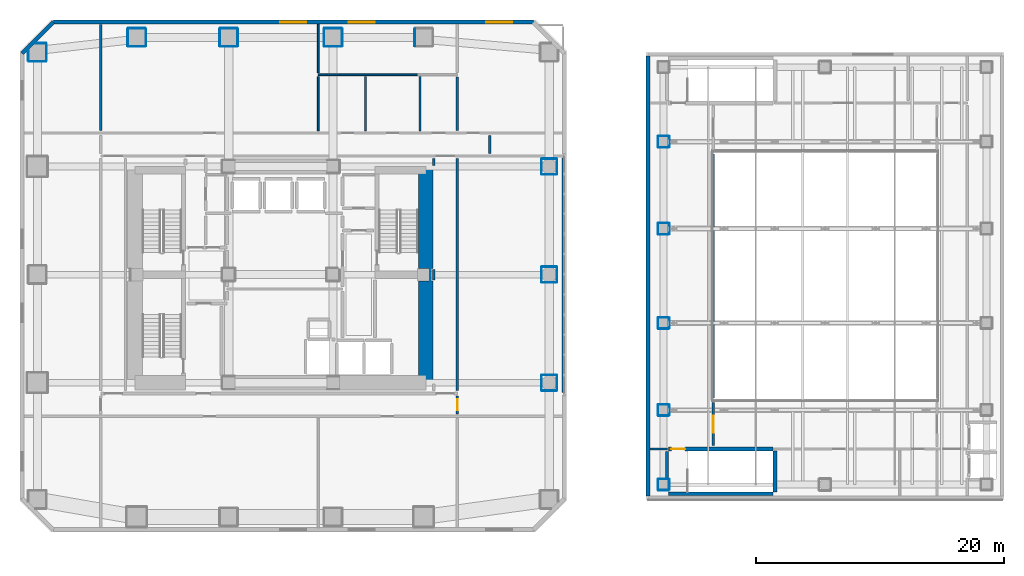
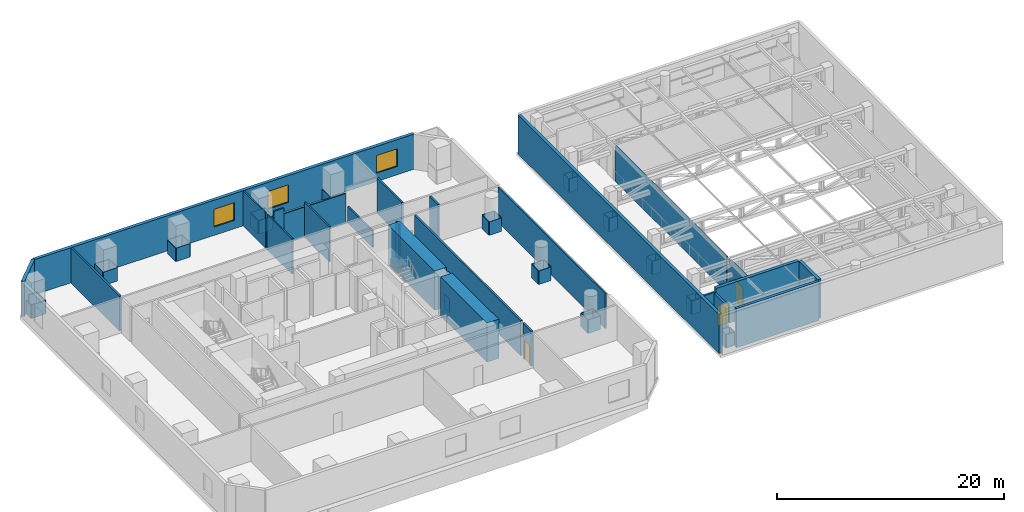
# One storey, part 21 of 25: 77 walls, 3 doors, 3 windows, 6 openings.
"""IFC4 building model written with IfcOpenShell, lengths in metres."""

from ifc_helpers import new_model, si_unit, direction, frame, frame_2d, origin, place, context, subcontext, project, spatial, rectangle, extrude, material, layer, layer_set, type_object, element, fill, save


model = new_model("IFC4")

# Units and contexts
model_context = context("Model", 3, precision=1e-05, world=origin(), true_north=direction((0.0, 1.0)))
body_context = subcontext(model_context, "Body", "Model", "MODEL_VIEW")
ifc_project = project(units=[si_unit("LENGTHUNIT", "METRE"), si_unit("AREAUNIT", "SQUARE_METRE"), si_unit("VOLUMEUNIT", "CUBIC_METRE"), si_unit("PLANEANGLEUNIT", "RADIAN"), si_unit("MASSUNIT", "GRAM", prefix="KILO")], contexts=[model_context])

# Site, building, storey
site_placement = place(None, origin())
site = spatial("IfcSite", under=ifc_project, at=site_placement, CompositionType="ELEMENT")
building_placement = place(site_placement, origin())
building = spatial("IfcBuilding", under=site, at=building_placement, Name="Solanera Arch Residences", CompositionType="ELEMENT")
storey_placement = place(building_placement, frame((0.0, 0.0, 17.800048828125)))
storey = spatial("IfcBuildingStorey", under=building, at=storey_placement, Name="L04", CompositionType="ELEMENT", Elevation=17.800048828125)

# Walls
ifc_material_1 = material(Name="Fire-Rated Gypsum Stud Partition", Category="gypsum")
ifc_layer_1 = layer(ifc_material_1, 0.06005859375)
ifc_layer_set_1 = layer_set([ifc_layer_1], Name="Fire-Rated Gypsum Stud Partition")
wall_type_1 = type_object("IfcWallType", Name="Column Acoustic Furring Wall 60", PredefinedType="PARTITIONING", material=ifc_layer_set_1)
wall_1_placement = place(storey_placement, frame((37.031982421875, 30.2099609375, 0.0), z_axis=(0.0, 0.0, 1.0), x_axis=(0.0, 1.0, 0.0)))
element("IfcWall", 1, at=wall_1_placement, inside=storey, type_object=wall_type_1, Name="L04 Column Furring 6E", PredefinedType="PARTITIONING", context=body_context, shape_type="SweptSolid", body=[
    extrude(rectangle(XDim=0.97998046875, YDim=0.06005859375, at=frame_2d((0.489990234375, 0.0))), origin(), (0.0, 0.0, 1.0), 1.449951171875),
])
for number, where, z_axis, x_axis, name in (
    (2, (12.699951171875, 49.068115234375, 0.0), (0.0, 0.0, 1.0), (1.0, 0.0, 0.0), "L04 Column Furring 11S"),
    (3, (12.699951171875, 50.531982421875, 0.0), (0.0, 0.0, 1.0), (1.0, 0.0, 0.0), "L04 Column Furring 11N"),
):
    element("IfcWall", number, at=place(storey_placement, frame(where, z_axis=z_axis, x_axis=x_axis)), inside=storey, type_object=wall_type_1, Name=name, PredefinedType="PARTITIONING", context=body_context, shape_type="SweptSolid", body=[
        extrude(rectangle(XDim=1.400146484375, YDim=0.06005859375, at=frame_2d((0.7001953125, 0.0))), origin(), (0.0, 0.0, 1.0), 1.449951171875),
    ])
for number, where, z_axis, x_axis, name in (
    (4, (12.66796875, 49.10009765625, 0.0), (0.0, 0.0, 1.0), (0.0, 1.0, 0.0), "L04 Column Furring 11W"),
    (5, (14.132080078125, 49.10009765625, 0.0), (0.0, 0.0, 1.0), (0.0, 1.0, 0.0), "L04 Column Furring 11E"),
    (6, (20.10009765625, 49.068115234375, 0.0), (0.0, 0.0, 1.0), (1.0, 0.0, 0.0), "L04 Column Furring 12S"),
    (7, (20.10009765625, 50.531982421875, 0.0), (0.0, 0.0, 1.0), (1.0, 0.0, 0.0), "L04 Column Furring 12N"),
    (8, (20.068115234375, 49.10009765625, 0.0), (0.0, 0.0, 1.0), (0.0, 1.0, 0.0), "L04 Column Furring 12W"),
    (9, (21.531982421875, 49.10009765625, 0.0), (0.0, 0.0, 1.0), (0.0, 1.0, 0.0), "L04 Column Furring 12E"),
    (10, (28.5, 49.068115234375, 0.0), (0.0, 0.0, 1.0), (1.0, 0.0, 0.0), "L04 Column Furring 13S"),
    (11, (28.5, 50.531982421875, 0.0), (0.0, 0.0, 1.0), (1.0, 0.0, 0.0), "L04 Column Furring 13N"),
    (12, (28.468017578125, 49.10009765625, 0.0), (0.0, 0.0, 1.0), (0.0, 1.0, 0.0), "L04 Column Furring 13W"),
    (13, (29.931884765625, 49.10009765625, 0.0), (0.0, 0.0, 1.0), (0.0, 1.0, 0.0), "L04 Column Furring 13E"),
    (14, (35.76806640625, 49.10009765625, 0.0), (0.0, 0.0, 1.0), (0.0, 1.0, 0.0), "L04 Column Furring 14W"),
):
    element("IfcWall", number, at=place(storey_placement, frame(where, z_axis=z_axis, x_axis=x_axis)), inside=storey, type_object=wall_type_1, Name=name, PredefinedType="PARTITIONING", context=body_context, shape_type="SweptSolid", body=[
        extrude(rectangle(XDim=1.39990234375, YDim=0.06005859375, at=frame_2d((0.699951171875, 0.0))), origin(), (0.0, 0.0, 1.0), 1.449951171875),
    ])
for number, where, z_axis, x_axis, name in (
    (15, (46.0, 21.367919921875, 0.0), (0.0, 0.0, 1.0), (1.0, 0.0, 0.0), "L04 Column Furring 18S"),
    (16, (46.0, 22.632080078125, 0.0), (0.0, 0.0, 1.0), (1.0, 0.0, 0.0), "L04 Column Furring 18N"),
):
    element("IfcWall", number, at=place(storey_placement, frame(where, z_axis=z_axis, x_axis=x_axis)), inside=storey, type_object=wall_type_1, Name=name, PredefinedType="PARTITIONING", context=body_context, shape_type="SweptSolid", body=[
        extrude(rectangle(XDim=1.199951171875, YDim=0.06005859375, at=frame_2d((0.60009765625, 0.0))), origin(), (0.0, 0.0, 1.0), 1.449951171875),
    ])
for number, where, z_axis, x_axis, name in (
    (17, (45.968017578125, 21.39990234375, 0.0), (0.0, 0.0, 1.0), (0.0, 1.0, 0.0), "L04 Column Furring 18W"),
    (18, (47.23193359375, 21.39990234375, 0.0), (0.0, 0.0, 1.0), (0.0, 1.0, 0.0), "L04 Column Furring 18E"),
):
    element("IfcWall", number, at=place(storey_placement, frame(where, z_axis=z_axis, x_axis=x_axis)), inside=storey, type_object=wall_type_1, Name=name, PredefinedType="PARTITIONING", context=body_context, shape_type="SweptSolid", body=[
        extrude(rectangle(XDim=1.2001953125, YDim=0.06005859375, at=frame_2d((0.60009765625, 0.0))), origin(), (0.0, 0.0, 1.0), 1.449951171875),
    ])
for number, where, z_axis, x_axis, name in (
    (19, (46.0, 30.068115234375, 0.0), (0.0, 0.0, 1.0), (1.0, 0.0, 0.0), "L04 Column Furring 19S"),
    (20, (46.0, 31.33203125, 0.0), (0.0, 0.0, 1.0), (1.0, 0.0, 0.0), "L04 Column Furring 19N"),
    (21, (45.968017578125, 30.10009765625, 0.0), (0.0, 0.0, 1.0), (0.0, 1.0, 0.0), "L04 Column Furring 19W"),
    (22, (47.23193359375, 30.10009765625, 0.0), (0.0, 0.0, 1.0), (0.0, 1.0, 0.0), "L04 Column Furring 19E"),
    (23, (46.0, 38.76806640625, 0.0), (0.0, 0.0, 1.0), (1.0, 0.0, 0.0), "L04 Column Furring 20S"),
    (24, (46.0, 40.031982421875, 0.0), (0.0, 0.0, 1.0), (1.0, 0.0, 0.0), "L04 Column Furring 20N"),
    (25, (45.968017578125, 38.800048828125, 0.0), (0.0, 0.0, 1.0), (0.0, 1.0, 0.0), "L04 Column Furring 20W"),
    (26, (47.23193359375, 38.800048828125, 0.0), (0.0, 0.0, 1.0), (0.0, 1.0, 0.0), "L04 Column Furring 20E"),
):
    element("IfcWall", number, at=place(storey_placement, frame(where, z_axis=z_axis, x_axis=x_axis)), inside=storey, type_object=wall_type_1, Name=name, PredefinedType="PARTITIONING", context=body_context, shape_type="SweptSolid", body=[
        extrude(rectangle(XDim=1.199951171875, YDim=0.06005859375, at=frame_2d((0.60009765625, 0.0))), origin(), (0.0, 0.0, 1.0), 1.449951171875),
    ])
wall_2_placement = place(storey_placement, frame((4.699951171875, 47.867919921875, 0.0), z_axis=(0.0, 0.0, 1.0), x_axis=(1.0, 0.0, 0.0)))
element("IfcWall", 27, at=wall_2_placement, inside=storey, type_object=wall_type_1, Name="L04 Column Furring 23S", PredefinedType="PARTITIONING", context=body_context, shape_type="SweptSolid", body=[
    extrude(rectangle(XDim=1.400146484375, YDim=0.06005859375, at=frame_2d((0.7001953125, 0.0))), origin(), (0.0, 0.0, 1.0), 1.449951171875),
])
for number, where, z_axis, x_axis, name in (
    (28, (5.239013671875, 49.33203125, 0.0), (0.0, 0.0, 1.0), (1.0, 0.0, 0.0), "L04 Column Furring 23N"),
    (29, (4.66796875, 47.89990234375, 0.0), (0.0, 0.0, 1.0), (0.0, 1.0, 0.0), "L04 Column Furring 23W"),
):
    element("IfcWall", number, at=place(storey_placement, frame(where, z_axis=z_axis, x_axis=x_axis)), inside=storey, type_object=wall_type_1, Name=name, PredefinedType="PARTITIONING", context=body_context, shape_type="SweptSolid", body=[
        extrude(rectangle(XDim=0.861083984375, YDim=0.06005859375, at=frame_2d((0.4306640625, 0.0))), origin(), (0.0, 0.0, 1.0), 1.449951171875),
    ])
wall_3_placement = place(storey_placement, frame((6.132080078125, 47.89990234375, 0.0), z_axis=(0.0, 0.0, 1.0), x_axis=(0.0, 1.0, 0.0)))
element("IfcWall", 30, at=wall_3_placement, inside=storey, type_object=wall_type_1, Name="L04 Column Furring 23E", PredefinedType="PARTITIONING", context=body_context, shape_type="SweptSolid", body=[
    extrude(rectangle(XDim=1.400146484375, YDim=0.06005859375, at=frame_2d((0.7001953125, 0.0))), origin(), (0.0, 0.0, 1.0), 1.449951171875),
])
for number, where, z_axis, x_axis, name in (
    (31, (55.375, 13.343017578125, 0.0), (0.0, 0.0, 1.0), (1.0, 0.0, 0.0), "L04 Column Furring 27S"),
    (32, (55.375, 14.257080078125, 0.0), (0.0, 0.0, 1.0), (1.0, 0.0, 0.0), "L04 Column Furring 27N"),
    (33, (55.343017578125, 13.375, 0.0), (0.0, 0.0, 1.0), (0.0, 1.0, 0.0), "L04 Column Furring 27W"),
    (34, (56.257080078125, 13.375, 0.0), (0.0, 0.0, 1.0), (0.0, 1.0, 0.0), "L04 Column Furring 27E"),
    (35, (55.375, 19.343017578125, 0.0), (0.0, 0.0, 1.0), (1.0, 0.0, 0.0), "L04 Column Furring 28S"),
    (36, (55.375, 20.257080078125, 0.0), (0.0, 0.0, 1.0), (1.0, 0.0, 0.0), "L04 Column Furring 28N"),
    (37, (55.343017578125, 19.375, 0.0), (0.0, 0.0, 1.0), (0.0, 1.0, 0.0), "L04 Column Furring 28W"),
    (38, (56.257080078125, 19.375, 0.0), (0.0, 0.0, 1.0), (0.0, 1.0, 0.0), "L04 Column Furring 28E"),
    (39, (55.375, 26.343017578125, 0.0), (0.0, 0.0, 1.0), (1.0, 0.0, 0.0), "L04 Column Furring 29S"),
    (40, (55.375, 27.257080078125, 0.0), (0.0, 0.0, 1.0), (1.0, 0.0, 0.0), "L04 Column Furring 29N"),
    (41, (55.343017578125, 26.375, 0.0), (0.0, 0.0, 1.0), (0.0, 1.0, 0.0), "L04 Column Furring 29W"),
    (42, (56.257080078125, 26.375, 0.0), (0.0, 0.0, 1.0), (0.0, 1.0, 0.0), "L04 Column Furring 29E"),
    (43, (55.375, 33.943115234375, 0.0), (0.0, 0.0, 1.0), (1.0, 0.0, 0.0), "L04 Column Furring 30S"),
    (44, (55.375, 34.85693359375, 0.0), (0.0, 0.0, 1.0), (1.0, 0.0, 0.0), "L04 Column Furring 30N"),
):
    element("IfcWall", number, at=place(storey_placement, frame(where, z_axis=z_axis, x_axis=x_axis)), inside=storey, type_object=wall_type_1, Name=name, PredefinedType="PARTITIONING", context=body_context, shape_type="SweptSolid", body=[
        extrude(rectangle(XDim=0.85009765625, YDim=0.06005859375, at=frame_2d((0.425048828125, 0.0))), origin(), (0.0, 0.0, 1.0), 1.449951171875),
    ])
for number, where, z_axis, x_axis, name in (
    (45, (55.343017578125, 33.97509765625, 0.0), (0.0, 0.0, 1.0), (0.0, 1.0, 0.0), "L04 Column Furring 30W"),
    (46, (56.257080078125, 33.97509765625, 0.0), (0.0, 0.0, 1.0), (0.0, 1.0, 0.0), "L04 Column Furring 30E"),
):
    element("IfcWall", number, at=place(storey_placement, frame(where, z_axis=z_axis, x_axis=x_axis)), inside=storey, type_object=wall_type_1, Name=name, PredefinedType="PARTITIONING", context=body_context, shape_type="SweptSolid", body=[
        extrude(rectangle(XDim=0.849853515625, YDim=0.06005859375, at=frame_2d((0.4248046875, 0.0))), origin(), (0.0, 0.0, 1.0), 1.449951171875),
    ])
for number, where, z_axis, x_axis, name in (
    (47, (55.375, 40.943115234375, 0.0), (0.0, 0.0, 1.0), (1.0, 0.0, 0.0), "L04 Column Furring 31S"),
    (48, (55.375, 41.85693359375, 0.0), (0.0, 0.0, 1.0), (1.0, 0.0, 0.0), "L04 Column Furring 31N"),
):
    element("IfcWall", number, at=place(storey_placement, frame(where, z_axis=z_axis, x_axis=x_axis)), inside=storey, type_object=wall_type_1, Name=name, PredefinedType="PARTITIONING", context=body_context, shape_type="SweptSolid", body=[
        extrude(rectangle(XDim=0.85009765625, YDim=0.06005859375, at=frame_2d((0.425048828125, 0.0))), origin(), (0.0, 0.0, 1.0), 1.449951171875),
    ])
for number, where, z_axis, x_axis, name in (
    (49, (55.343017578125, 40.97509765625, 0.0), (0.0, 0.0, 1.0), (0.0, 1.0, 0.0), "L04 Column Furring 31W"),
    (50, (56.257080078125, 40.97509765625, 0.0), (0.0, 0.0, 1.0), (0.0, 1.0, 0.0), "L04 Column Furring 31E"),
):
    element("IfcWall", number, at=place(storey_placement, frame(where, z_axis=z_axis, x_axis=x_axis)), inside=storey, type_object=wall_type_1, Name=name, PredefinedType="PARTITIONING", context=body_context, shape_type="SweptSolid", body=[
        extrude(rectangle(XDim=0.849853515625, YDim=0.06005859375, at=frame_2d((0.4248046875, 0.0))), origin(), (0.0, 0.0, 1.0), 1.449951171875),
    ])
ifc_material_2 = material(Name="Concrete C55/67 (f'c = 60 MPa)", Category="concrete")
ifc_layer_2 = layer(ifc_material_2, 1.199951171875)
ifc_layer_set_2 = layer_set([ifc_layer_2], Name="Concrete C55/67 (f'c = 60 MPa)")
wall_type_2 = type_object("IfcWallType", Name="Core Shear Wall CW-1200", PredefinedType="SHEAR", material=ifc_layer_set_2)
wall_4_placement = place(storey_placement, frame((36.659912109375, 22.0, 0.0), z_axis=(0.0, 0.0, 1.0), x_axis=(0.0, 1.0, 0.0)))
element("IfcWall", 51, at=wall_4_placement, inside=storey, type_object=wall_type_2, Name="L04 East Core South Shear Wall", PredefinedType="SHEAR", context=body_context, shape_type="SweptSolid", body=[
    extrude(rectangle(XDim=8.195068359375, YDim=1.199951171875, at=frame_2d((4.09765625, 0.0))), origin(), (0.0, 0.0, 1.0), 4.199951171875),
])
wall_5_placement = place(storey_placement, frame((36.659912109375, 31.205078125, 0.0), z_axis=(0.0, 0.0, 1.0), x_axis=(0.0, 1.0, 0.0)))
element("IfcWall", 52, at=wall_5_placement, inside=storey, type_object=wall_type_2, Name="L04 East Core North Shear Wall", PredefinedType="SHEAR", context=body_context, shape_type="SweptSolid", body=[
    extrude(rectangle(XDim=8.19482421875, YDim=1.199951171875, at=frame_2d((4.097412109375, 0.0))), origin(), (0.0, 0.0, 1.0), 4.199951171875),
])
ifc_material_3 = material(Name="Concrete C40/50 (f'c = 45 MPa)", Category="concrete")
ifc_layer_3 = layer(ifc_material_3, 0.320068359375)
ifc_layer_set_3 = layer_set([ifc_layer_3], Name="Concrete C40/50 (f'c = 45 MPa)")
wall_type_3 = type_object("IfcWallType", Name="Core Shear Wall CW-320", PredefinedType="SHEAR", material=ifc_layer_set_3)
wall_6_placement = place(storey_placement, frame((64.760009765625, 13.199951171875, 0.0), z_axis=(0.0, 0.0, 1.0), x_axis=(0.0, 1.0, 0.0)))
element("IfcWall", 53, at=wall_6_placement, inside=storey, type_object=wall_type_3, Name="L04 Stair ST-H1 East Shear Wall", PredefinedType="SHEAR", context=body_context, shape_type="SweptSolid", body=[
    extrude(rectangle(XDim=3.320068359375, YDim=0.320068359375, at=frame_2d((1.66015625, 0.0))), origin(), (0.0, 0.0, 1.0), 4.199951171875),
])
wall_7_placement = place(storey_placement, frame((56.199951171875, 13.06005859375, 0.0), z_axis=(0.0, 0.0, 1.0), x_axis=(1.0, 0.0, 0.0)))
element("IfcWall", 54, at=wall_7_placement, inside=storey, type_object=wall_type_3, Name="L04 Stair ST-H1 South Shear Wall", PredefinedType="SHEAR", context=body_context, shape_type="SweptSolid", body=[
    extrude(rectangle(XDim=8.400146484375, YDim=0.280029296875, at=frame_2d((4.2001953125, 0.0))), origin(), (0.0, 0.0, 1.0), 4.199951171875),
])

# Wall, opening, door
wall_8_placement = place(storey_placement, frame((56.199951171875, 16.679931640625, 0.0), z_axis=(0.0, 0.0, 1.0), x_axis=(1.0, 0.0, 0.0)))
wall_8 = element("IfcWall", 55, at=wall_8_placement, inside=storey, type_object=wall_type_3, Name="L04 Stair ST-H1 North Shear Wall", PredefinedType="SHEAR", context=body_context, shape_type="SweptSolid", body=[
    extrude(rectangle(XDim=8.400146484375, YDim=0.320068359375, at=frame_2d((4.2001953125, 0.0))), origin(), (0.0, 0.0, 1.0), 4.199951171875),
])
opening_1_placement = place(wall_8_placement, frame((0.22998046875, 0.0, 0.0)))
opening_1 = element("IfcOpeningElement", 56, at=opening_1_placement, cuts=wall_8, Name="Opening DF-01", PredefinedType="OPENING", context=body_context, shape_type="SweptSolid", body=[
    extrude(rectangle(XDim=1.10009765625, YDim=2.14990234375, at=frame_2d((0.550048828125, 1.074951171875))), frame((0.0, 0.169921875, 0.0), z_axis=(0.0, -1.0, 0.0), x_axis=(1.0, 0.0, 0.0)), (0.0, 0.0, 1.0), 0.3401),
])
ifc_material_4 = material(Name="Fire-Rated Architectural Hardwood", Category="wood")
door_type_1 = type_object("IfcDoorType", Name="Stair Exit Fire Door DF-01", OperationType="NOTDEFINED", PredefinedType="DOOR", material=ifc_material_4)
door_1_placement = place(opening_1_placement, origin())
door_1 = element("IfcDoor", 57, at=door_1_placement, inside=storey, type_object=door_type_1, Name="DR-L04-STAIR-ST-H1", OperationType="SINGLE_SWING_LEFT", OverallHeight=2.14990234375, OverallWidth=1.10009765625, PredefinedType="DOOR", context=body_context, shape_type="SweptSolid", body=[
    extrude(rectangle(XDim=1.10009765625, YDim=2.14990234375, at=frame_2d((0.550048828125, 1.074951171875))), frame((0.0, 0.02490234375, 0.0), z_axis=(0.0, -1.0, 0.0), x_axis=(1.0, 0.0, 0.0)), (0.0, 0.0, 1.0), 0.050048828125),
])
fill(opening_1, door_1)

# Walls
ifc_material_5 = material(Name="Autoclaved Aerated Concrete Blockwork", Category="masonry")
ifc_layer_4 = layer(ifc_material_5, 0.179931640625)
ifc_layer_set_4 = layer_set([ifc_layer_4], Name="Autoclaved Aerated Concrete Blockwork")
wall_type_4 = type_object("IfcWallType", Name="Corridor Fire Partition 180", PredefinedType="PARTITIONING", material=ifc_layer_set_4)
wall_9_placement = place(storey_placement, frame((54.7119140625, 16.679931640625, 0.0), z_axis=(0.0, 0.0, 1.0), x_axis=(1.0, 0.0, 0.0)))
element("IfcWall", 58, at=wall_9_placement, inside=storey, type_object=wall_type_4, Name="L04 Interior Partition H10 1", PredefinedType="PARTITIONING", context=body_context, shape_type="SweptSolid", body=[
    extrude(rectangle(XDim=1.38818359375, YDim=0.179931640625, at=frame_2d((0.694091796875, 0.0))), origin(), (0.0, 0.0, 1.0), 3.780029296875),
])
wall_10_placement = place(storey_placement, frame((10.5, 42.2880859375, 0.0), z_axis=(0.0, 0.0, 1.0), x_axis=(0.0, 1.0, 0.0)))
element("IfcWall", 59, at=wall_10_placement, inside=storey, type_object=wall_type_4, Name="L04 Interior Partition V10 5", PredefinedType="PARTITIONING", context=body_context, shape_type="SweptSolid", body=[
    extrude(rectangle(XDim=8.559814453125, YDim=0.179931640625, at=frame_2d((4.27978515625, 0.0))), origin(), (0.0, 0.0, 1.0), 3.780029296875),
])
wall_11_placement = place(storey_placement, frame((37.300048828125, 30.287109375, 0.0), z_axis=(0.0, 0.0, 1.0), x_axis=(0.0, 1.0, 0.0)))
element("IfcWall", 60, at=wall_11_placement, inside=storey, type_object=wall_type_4, Name="L04 Interior Partition V12 2", PredefinedType="PARTITIONING", context=body_context, shape_type="SweptSolid", body=[
    extrude(rectangle(XDim=0.825927734375, YDim=0.179931640625, at=frame_2d((0.4130859375, 0.0))), origin(), (0.0, 0.0, 1.0), 3.780029296875),
])
wall_12_placement = place(storey_placement, frame((37.300048828125, 39.491943359375, 0.0), z_axis=(0.0, 0.0, 1.0), x_axis=(0.0, 1.0, 0.0)))
element("IfcWall", 61, at=wall_12_placement, inside=storey, type_object=wall_type_4, Name="L04 Interior Partition V12 3", PredefinedType="PARTITIONING", context=body_context, shape_type="SweptSolid", body=[
    extrude(rectangle(XDim=0.570068359375, YDim=0.179931640625, at=frame_2d((0.28515625, 0.0))), origin(), (0.0, 0.0, 1.0), 3.780029296875),
])

# Wall, opening, door
wall_13_placement = place(storey_placement, frame((39.199951171875, 19.488037109375, 0.0), z_axis=(0.0, 0.0, 1.0), x_axis=(0.0, 1.0, 0.0)))
wall_13 = element("IfcWall", 62, at=wall_13_placement, inside=storey, type_object=wall_type_4, Name="L04 Interior Partition V13 2", PredefinedType="PARTITIONING", context=body_context, shape_type="SweptSolid", body=[
    extrude(rectangle(XDim=1.44384765625, YDim=0.179931640625, at=frame_2d((0.721923828125, 0.0))), origin(), (0.0, 0.0, 1.0), 3.780029296875),
])
opening_2_placement = place(wall_13_placement, frame((0.301025390625, 0.0, 0.0)))
opening_2 = element("IfcOpeningElement", 63, at=opening_2_placement, cuts=wall_13, Name="Opening DI-02", PredefinedType="OPENING", context=body_context, shape_type="SweptSolid", body=[
    extrude(rectangle(XDim=0.89990234375, YDim=2.10009765625, at=frame_2d((0.449951171875, 1.050048828125))), frame((0.0, 0.10009765625, 0.0), z_axis=(0.0, -1.0, 0.0), x_axis=(1.0, 0.0, 0.0)), (0.0, 0.0, 1.0), 0.1999),
])
ifc_material_6 = material(Name="Fire-Rated Architectural Hardwood", Category="wood")
door_type_2 = type_object("IfcDoorType", Name="Suite Room Swing Door DI-02", OperationType="NOTDEFINED", PredefinedType="DOOR", material=ifc_material_6)
door_2_placement = place(opening_2_placement, origin())
door_2 = element("IfcDoor", 64, at=door_2_placement, inside=storey, type_object=door_type_2, Name="DR-L04-IN-030", OperationType="SINGLE_SWING_LEFT", OverallHeight=2.10009765625, OverallWidth=0.89990234375, PredefinedType="DOOR", context=body_context, shape_type="SweptSolid", body=[
    extrude(rectangle(XDim=0.89990234375, YDim=2.10009765625, at=frame_2d((0.449951171875, 1.050048828125))), frame((0.0, 0.02490234375, 0.0), z_axis=(0.0, -1.0, 0.0), x_axis=(1.0, 0.0, 0.0)), (0.0, 0.0, 1.0), 0.050048828125),
])
fill(opening_2, door_2)

# Walls
wall_14_placement = place(storey_placement, frame((39.199951171875, 21.367919921875, 0.0), z_axis=(0.0, 0.0, 1.0), x_axis=(0.0, 1.0, 0.0)))
element("IfcWall", 65, at=wall_14_placement, inside=storey, type_object=wall_type_4, Name="L04 Interior Partition V13 3", PredefinedType="PARTITIONING", context=body_context, shape_type="SweptSolid", body=[
    extrude(rectangle(XDim=18.694091796875, YDim=0.179931640625, at=frame_2d((9.34716796875, 0.0))), origin(), (0.0, 0.0, 1.0), 3.780029296875),
])
wall_15_placement = place(storey_placement, frame((39.199951171875, 42.2880859375, 0.0), z_axis=(0.0, 0.0, 1.0), x_axis=(0.0, 1.0, 0.0)))
element("IfcWall", 66, at=wall_15_placement, inside=storey, type_object=wall_type_4, Name="L04 Interior Partition V14 1", PredefinedType="PARTITIONING", context=body_context, shape_type="SweptSolid", body=[
    extrude(rectangle(XDim=4.343994140625, YDim=0.179931640625, at=frame_2d((2.171875, 0.0))), origin(), (0.0, 0.0, 1.0), 3.780029296875),
])
wall_16_placement = place(storey_placement, frame((41.800048828125, 40.43798828125, 0.0), z_axis=(0.0, 0.0, 1.0), x_axis=(0.0, 1.0, 0.0)))
element("IfcWall", 67, at=wall_16_placement, inside=storey, type_object=wall_type_4, Name="L04 Interior Partition V15", PredefinedType="PARTITIONING", context=body_context, shape_type="SweptSolid", body=[
    extrude(rectangle(XDim=1.47412109375, YDim=0.179931640625, at=frame_2d((0.737060546875, 0.0))), origin(), (0.0, 0.0, 1.0), 3.780029296875),
])

# Wall, opening, door
wall_17_placement = place(storey_placement, frame((59.800048828125, 16.93994140625, 0.0), z_axis=(0.0, 0.0, 1.0), x_axis=(0.0, 1.0, 0.0)))
wall_17 = element("IfcWall", 68, at=wall_17_placement, inside=storey, type_object=wall_type_4, Name="L04 Interior Partition V17 1", PredefinedType="PARTITIONING", context=body_context, shape_type="SweptSolid", body=[
    extrude(rectangle(XDim=3.47216796875, YDim=0.179931640625, at=frame_2d((1.736083984375, 0.0))), origin(), (0.0, 0.0, 1.0), 3.780029296875),
])
opening_3_placement = place(wall_17_placement, frame((1.02392578125, 0.0, 0.0)))
opening_3 = element("IfcOpeningElement", 69, at=opening_3_placement, cuts=wall_17, Name="Opening DF-03", PredefinedType="OPENING", context=body_context, shape_type="SweptSolid", body=[
    extrude(rectangle(XDim=1.39990234375, YDim=2.14990234375, at=frame_2d((0.699951171875, 1.074951171875))), frame((0.0, 0.10009765625, 0.0), z_axis=(0.0, -1.0, 0.0), x_axis=(1.0, 0.0, 0.0)), (0.0, 0.0, 1.0), 0.1999),
])
ifc_material_7 = material(Name="Fire-Rated Architectural Hardwood", Category="wood")
door_type_3 = type_object("IfcDoorType", Name="Corridor Smoke Door DF-03", OperationType="NOTDEFINED", PredefinedType="DOOR", material=ifc_material_7)
door_3_placement = place(opening_3_placement, origin())
door_3 = element("IfcDoor", 70, at=door_3_placement, inside=storey, type_object=door_type_3, Name="DR-L04-IN-018", OperationType="SINGLE_SWING_LEFT", OverallHeight=2.14990234375, OverallWidth=1.39990234375, PredefinedType="DOOR", context=body_context, shape_type="SweptSolid", body=[
    extrude(rectangle(XDim=1.39990234375, YDim=2.14990234375, at=frame_2d((0.699951171875, 1.074951171875))), frame((0.0, 0.02490234375, 0.0), z_axis=(0.0, -1.0, 0.0), x_axis=(1.0, 0.0, 0.0)), (0.0, 0.0, 1.0), 0.050048828125),
])
fill(opening_3, door_3)

# Walls
wall_18_placement = place(storey_placement, frame((59.800048828125, 20.7880859375, 0.0), z_axis=(0.0, 0.0, 1.0), x_axis=(0.0, 1.0, 0.0)))
element("IfcWall", 71, at=wall_18_placement, inside=storey, type_object=wall_type_4, Name="L04 Interior Partition V17 2", PredefinedType="PARTITIONING", context=body_context, shape_type="SweptSolid", body=[
    extrude(rectangle(XDim=19.6240234375, YDim=0.179931640625, at=frame_2d((9.81201171875, 0.0))), origin(), (0.0, 0.0, 1.0), 3.780029296875),
])
ifc_material_8 = material(Name="Precast Concrete C35/45", Category="concrete")
ifc_layer_5 = layer(ifc_material_8, 0.300048828125)
ifc_layer_set_5 = layer_set([ifc_layer_5], Name="Precast Concrete C35/45")
wall_type_5 = type_object("IfcWallType", Name="Exterior Wall Precast Masonry-Frame 300", PredefinedType="STANDARD", material=ifc_layer_set_5)
wall_19_placement = place(storey_placement, frame((54.550048828125, 12.89990234375, 0.0), z_axis=(0.0, 0.0, 1.0), x_axis=(0.0, 1.0, 0.0)))
element("IfcWall", 72, at=wall_19_placement, inside=storey, type_object=wall_type_5, Name="L04 Sports Hall Exterior Precast Wall W", PredefinedType="STANDARD", context=body_context, shape_type="SweptSolid", body=[
    extrude(rectangle(XDim=35.400146484375, YDim=0.300048828125, at=frame_2d((17.7001953125, 0.0))), origin(), (0.0, 0.0, 1.0), 4.199951171875),
])
ifc_material_9 = material(Name="Precast Concrete C35/45", Category="concrete")
ifc_layer_6 = layer(ifc_material_9, 0.320068359375)
ifc_layer_set_6 = layer_set([ifc_layer_6], Name="Precast Concrete C35/45")
wall_type_6 = type_object("IfcWallType", Name="Exterior Wall Precast Masonry-Frame 320", PredefinedType="STANDARD", material=ifc_layer_set_6)
wall_20_placement = place(storey_placement, frame((4.179931640625, 48.52001953125, 0.0), z_axis=(0.0, 0.0, 1.0), x_axis=(0.707106781187, 0.707106781187, 0.0)))
element("IfcWall", 73, at=wall_20_placement, inside=storey, type_object=wall_type_6, Name="L04 Podium Precast Masonry-Frame Wall 2", PredefinedType="STANDARD", context=body_context, shape_type="SweptSolid", body=[
    extrude(rectangle(XDim=3.53564453125, YDim=0.320068359375, at=frame_2d((1.767822265625, 0.0))), origin(), (0.0, 0.0, 1.0), 3.780029296875),
])

# Wall, openings, windows
wall_21_placement = place(storey_placement, frame((6.679931640625, 51.02001953125, 0.0), z_axis=(0.0, 0.0, 1.0), x_axis=(1.0, 0.0, 0.0)))
wall_21 = element("IfcWall", 74, at=wall_21_placement, inside=storey, type_object=wall_type_6, Name="L04 Podium Precast Masonry-Frame Wall 3", PredefinedType="STANDARD", context=body_context, shape_type="SweptSolid", body=[
    extrude(rectangle(XDim=38.64013671875, YDim=0.320068359375, at=frame_2d((19.320068359375, 0.0))), origin(), (0.0, 0.0, 1.0), 3.780029296875),
])
opening_4_placement = place(wall_21_placement, frame((18.27001953125, 0.0, 0.89990234375)))
opening_4 = element("IfcOpeningElement", 75, at=opening_4_placement, cuts=wall_21, Name="Opening W-04", PredefinedType="OPENING", context=body_context, shape_type="SweptSolid", body=[
    extrude(rectangle(XDim=2.10009765625, YDim=1.89990234375, at=frame_2d((1.050048828125, 0.949951171875))), frame((0.0, 0.169921875, 0.0), z_axis=(0.0, -1.0, 0.0), x_axis=(1.0, 0.0, 0.0)), (0.0, 0.0, 1.0), 0.3401),
])
opening_5_placement = place(wall_21_placement, frame((23.7900390625, 0.0, 0.89990234375)))
opening_5 = element("IfcOpeningElement", 76, at=opening_5_placement, cuts=wall_21, Name="Opening W-04", PredefinedType="OPENING", context=body_context, shape_type="SweptSolid", body=[
    extrude(rectangle(XDim=2.10009765625, YDim=1.89990234375, at=frame_2d((1.050048828125, 0.949951171875))), frame((0.0, 0.169921875, 0.0), z_axis=(0.0, -1.0, 0.0), x_axis=(1.0, 0.0, 0.0)), (0.0, 0.0, 1.0), 0.3401),
])
opening_6_placement = place(wall_21_placement, frame((34.830078125, 0.0, 0.89990234375)))
opening_6 = element("IfcOpeningElement", 77, at=opening_6_placement, cuts=wall_21, Name="Opening W-04", PredefinedType="OPENING", context=body_context, shape_type="SweptSolid", body=[
    extrude(rectangle(XDim=2.10009765625, YDim=1.89990234375, at=frame_2d((1.050048828125, 0.949951171875))), frame((0.0, 0.169921875, 0.0), z_axis=(0.0, -1.0, 0.0), x_axis=(1.0, 0.0, 0.0)), (0.0, 0.0, 1.0), 0.3401),
])
ifc_material_10 = material(Name="Double Glazed Low-E Laminated Glass", Category="glass")
window_type = type_object("IfcWindowType", Name="Punched Window W-04", PartitioningType="DOUBLE_PANEL_VERTICAL", PredefinedType="WINDOW", material=ifc_material_10)
window_1_placement = place(opening_4_placement, origin())
window_1 = element("IfcWindow", 78, at=window_1_placement, inside=storey, type_object=window_type, Name="L04 Podium Window 3.4", OverallHeight=1.89990234375, OverallWidth=2.10009765625, PartitioningType="SINGLE_PANEL", PredefinedType="WINDOW", context=body_context, shape_type="SweptSolid", body=[
    extrude(rectangle(XDim=2.10009765625, YDim=1.89990234375, at=frame_2d((1.050048828125, 0.949951171875))), frame((0.0, 0.030029296875, 0.0), z_axis=(0.0, -1.0, 0.0), x_axis=(1.0, 0.0, 0.0)), (0.0, 0.0, 1.0), 0.06005859375),
])
fill(opening_4, window_1)
window_2_placement = place(opening_5_placement, origin())
window_2 = element("IfcWindow", 79, at=window_2_placement, inside=storey, type_object=window_type, Name="L04 Podium Window 3.5", OverallHeight=1.89990234375, OverallWidth=2.10009765625, PartitioningType="SINGLE_PANEL", PredefinedType="WINDOW", context=body_context, shape_type="SweptSolid", body=[
    extrude(rectangle(XDim=2.10009765625, YDim=1.89990234375, at=frame_2d((1.050048828125, 0.949951171875))), frame((0.0, 0.030029296875, 0.0), z_axis=(0.0, -1.0, 0.0), x_axis=(1.0, 0.0, 0.0)), (0.0, 0.0, 1.0), 0.06005859375),
])
fill(opening_5, window_2)
window_3_placement = place(opening_6_placement, origin())
window_3 = element("IfcWindow", 80, at=window_3_placement, inside=storey, type_object=window_type, Name="L04 Podium Window 3.7", OverallHeight=1.89990234375, OverallWidth=2.10009765625, PartitioningType="SINGLE_PANEL", PredefinedType="WINDOW", context=body_context, shape_type="SweptSolid", body=[
    extrude(rectangle(XDim=2.10009765625, YDim=1.89990234375, at=frame_2d((1.050048828125, 0.949951171875))), frame((0.0, 0.030029296875, 0.0), z_axis=(0.0, -1.0, 0.0), x_axis=(1.0, 0.0, 0.0)), (0.0, 0.0, 1.0), 0.06005859375),
])
fill(opening_6, window_3)

# Walls
ifc_material_11 = material(Name="Autoclaved Aerated Concrete Blockwork", Category="masonry")
ifc_layer_7 = layer(ifc_material_11, 0.239990234375)
ifc_layer_set_7 = layer_set([ifc_layer_7], Name="Autoclaved Aerated Concrete Blockwork")
wall_type_7 = type_object("IfcWallType", Name="Shaft Wall Fire-Rated 240", PredefinedType="PARTITIONING", material=ifc_layer_set_7)
wall_22_placement = place(storey_placement, frame((56.080078125, 14.35693359375, 0.0), z_axis=(0.0, 0.0, 1.0), x_axis=(0.0, 1.0, 0.0)))
element("IfcWall", 81, at=wall_22_placement, inside=storey, type_object=wall_type_7, Name="L04 Stair ST-H1 West Wall", PredefinedType="PARTITIONING", context=body_context, shape_type="SweptSolid", body=[
    extrude(rectangle(XDim=2.113037109375, YDim=0.239990234375, at=frame_2d((1.056640625, 0.0))), origin(), (0.0, 0.0, 1.0), 3.780029296875),
])
ifc_material_12 = material(Name="Fire-Rated Gypsum Stud Partition", Category="gypsum")
ifc_layer_8 = layer(ifc_material_12, 0.1201171875)
ifc_layer_set_8 = layer_set([ifc_layer_8], Name="Fire-Rated Gypsum Stud Partition")
wall_type_8 = type_object("IfcWallType", Name="Unit Drywall Partition 120", PredefinedType="PARTITIONING", material=ifc_layer_set_8)
wall_23_placement = place(storey_placement, frame((47.699951171875, 21.239990234375, 0.0), z_axis=(0.0, 0.0, 1.0), x_axis=(0.0, 1.0, 0.0)))
element("IfcWall", 82, at=wall_23_placement, inside=storey, type_object=wall_type_8, Name="L04 Interior Partition V26", PredefinedType="PARTITIONING", context=body_context, shape_type="SweptSolid", body=[
    extrude(rectangle(XDim=18.85205078125, YDim=0.1201171875, at=frame_2d((9.426025390625, 0.0))), origin(), (0.0, 0.0, 1.0), 3.780029296875),
])
ifc_material_13 = material(Name="Autoclaved Aerated Concrete Blockwork", Category="masonry")
ifc_layer_9 = layer(ifc_material_13, 0.139892578125)
ifc_layer_set_9 = layer_set([ifc_layer_9], Name="Autoclaved Aerated Concrete Blockwork")
wall_type_9 = type_object("IfcWallType", Name="Wet-Room Partition 140", PredefinedType="PARTITIONING", material=ifc_layer_set_9)
wall_24_placement = place(storey_placement, frame((28.0, 46.800048828125, 0.0), z_axis=(0.0, 0.0, 1.0), x_axis=(1.0, 0.0, 0.0)))
element("IfcWall", 83, at=wall_24_placement, inside=storey, type_object=wall_type_9, Name="L04 Interior Partition H20 1", PredefinedType="PARTITIONING", context=body_context, shape_type="SweptSolid", body=[
    extrude(rectangle(XDim=0.699951171875, YDim=0.139892578125, at=frame_2d((0.35009765625, 0.0))), origin(), (0.0, 0.0, 1.0), 3.1650390625),
])
wall_25_placement = place(storey_placement, frame((28.699951171875, 46.800048828125, 0.0), z_axis=(0.0, 0.0, 1.0), x_axis=(1.0, 0.0, 0.0)))
element("IfcWall", 84, at=wall_25_placement, inside=storey, type_object=wall_type_9, Name="L04 Interior Partition H20 2", PredefinedType="PARTITIONING", context=body_context, shape_type="SweptSolid", body=[
    extrude(rectangle(XDim=1.0, YDim=0.139892578125, at=frame_2d((0.5, 0.0))), origin(), (0.0, 0.0, 1.0), 3.780029296875),
])
wall_26_placement = place(storey_placement, frame((29.699951171875, 46.800048828125, 0.0), z_axis=(0.0, 0.0, 1.0), x_axis=(1.0, 0.0, 0.0)))
element("IfcWall", 85, at=wall_26_placement, inside=storey, type_object=wall_type_9, Name="L04 Interior Partition H20 3", PredefinedType="PARTITIONING", context=body_context, shape_type="SweptSolid", body=[
    extrude(rectangle(XDim=6.300048828125, YDim=0.139892578125, at=frame_2d((3.14990234375, 0.0))), origin(), (0.0, 0.0, 1.0), 3.1650390625),
])
wall_27_placement = place(storey_placement, frame((28.0, 42.26806640625, 0.0), z_axis=(0.0, 0.0, 1.0), x_axis=(0.0, 1.0, 0.0)))
element("IfcWall", 86, at=wall_27_placement, inside=storey, type_object=wall_type_9, Name="L04 Interior Partition V21 1", PredefinedType="PARTITIONING", context=body_context, shape_type="SweptSolid", body=[
    extrude(rectangle(XDim=4.384033203125, YDim=0.139892578125, at=frame_2d((2.19189453125, 0.0))), origin(), (0.0, 0.0, 1.0), 3.780029296875),
])
wall_28_placement = place(storey_placement, frame((28.0, 46.947998046875, 0.0), z_axis=(0.0, 0.0, 1.0), x_axis=(0.0, 1.0, 0.0)))
element("IfcWall", 87, at=wall_28_placement, inside=storey, type_object=wall_type_9, Name="L04 Interior Partition V21 2", PredefinedType="PARTITIONING", context=body_context, shape_type="SweptSolid", body=[
    extrude(rectangle(XDim=3.89990234375, YDim=0.139892578125, at=frame_2d((1.949951171875, 0.0))), origin(), (0.0, 0.0, 1.0), 3.780029296875),
])
wall_29_placement = place(storey_placement, frame((31.800048828125, 42.26806640625, 0.0), z_axis=(0.0, 0.0, 1.0), x_axis=(0.0, 1.0, 0.0)))
element("IfcWall", 88, at=wall_29_placement, inside=storey, type_object=wall_type_9, Name="L04 Interior Partition V22", PredefinedType="PARTITIONING", context=body_context, shape_type="SweptSolid", body=[
    extrude(rectangle(XDim=4.384033203125, YDim=0.139892578125, at=frame_2d((2.19189453125, 0.0))), origin(), (0.0, 0.0, 1.0), 3.780029296875),
])
wall_30_placement = place(storey_placement, frame((36.199951171875, 42.26806640625, 0.0), z_axis=(0.0, 0.0, 1.0), x_axis=(0.0, 1.0, 0.0)))
element("IfcWall", 89, at=wall_30_placement, inside=storey, type_object=wall_type_9, Name="L04 Interior Partition V23", PredefinedType="PARTITIONING", context=body_context, shape_type="SweptSolid", body=[
    extrude(rectangle(XDim=4.384033203125, YDim=0.139892578125, at=frame_2d((2.19189453125, 0.0))), origin(), (0.0, 0.0, 1.0), 1.784912109375),
])

save(model, "model.ifc")
